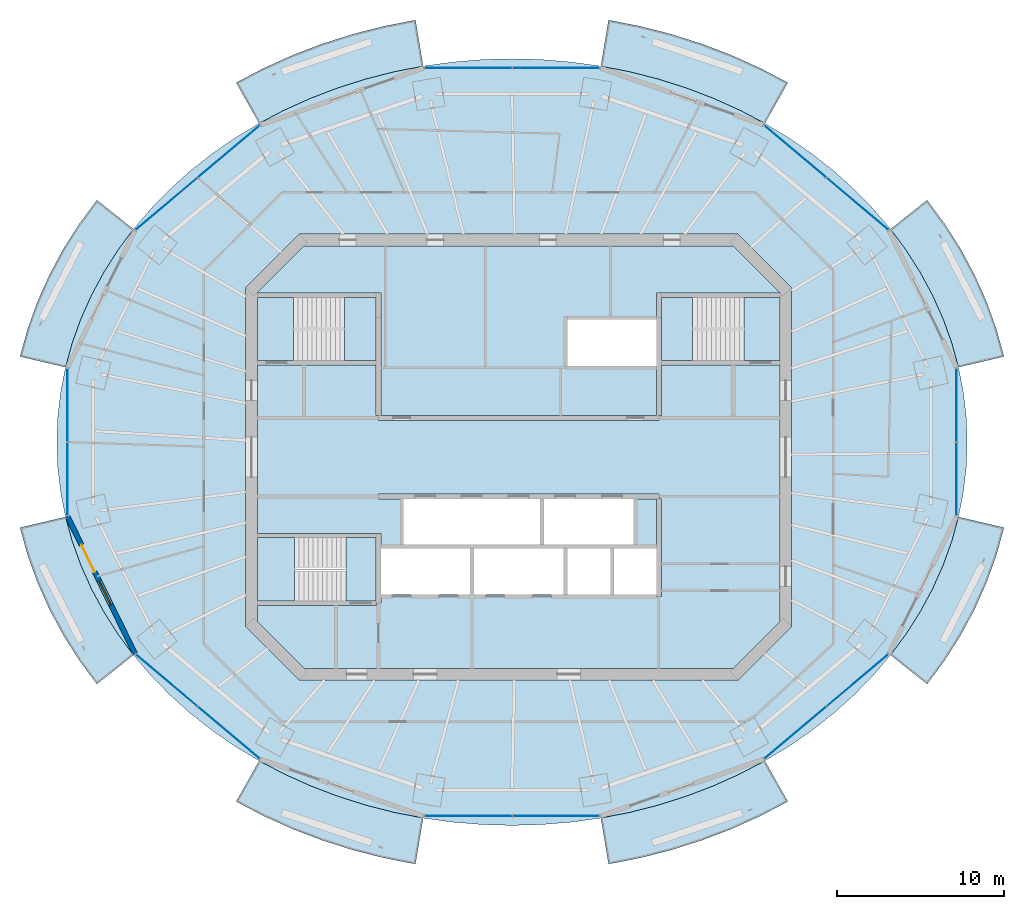
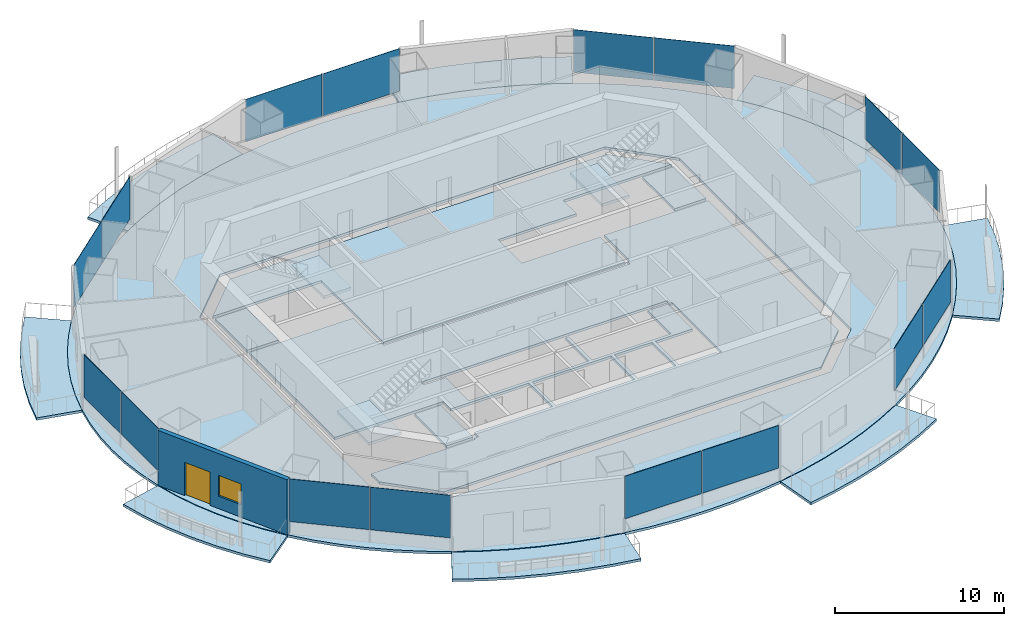
# One storey, part 7 of 16: 17 slabs, 16 plates, 1 door, 1 wall, 1 window, 2 openings, 11 elements without a shape of their own.
"""IFC4 building model written with IfcOpenShell, lengths in metres."""

import ifcopenshell
import ifcopenshell.guid

model = None  # the IFC model being written
_history = None  # IfcOwnerHistory: only IFC2X3 demands one
_inside = {}  # id of a spatial element -> (the spatial element, [elements in it])
_under = {}  # id of a project, library or spatial element -> (it, [spatial elements below it])
_declared = {}  # id of a project -> (the project, [libraries it declares])
_typed = {}  # id of a type object -> (the type object, [elements of that type])
_made_of = {}  # id of a material, layer set ... -> (it, [elements and type objects made of it])


def new_model(schema):
    """Start an empty IFC model of exactly this schema.

    Asked for "IFC4X3", IfcOpenShell would pick the latest addendum, in which some entities
    have other attributes; the version numbers below select the first issue.
    IFC2X3 requires an IfcOwnerHistory on every rooted entity: one is made here for all.
    """
    global model, _history
    if schema == "IFC4X3":
        model = ifcopenshell.file(schema_version=(4, 3, 0, 0))
    else:
        model = ifcopenshell.file(schema=schema)
    _inside.clear()
    _under.clear()
    _declared.clear()
    _typed.clear()
    _made_of.clear()
    _history = None
    if model.schema == "IFC2X3":
        org = make("IfcOrganization", Name="unknown")
        user = make(
            "IfcPersonAndOrganization",
            ThePerson=make("IfcPerson", FamilyName="unknown"),
            TheOrganization=org,
        )
        app = make(
            "IfcApplication",
            ApplicationDeveloper=org,
            Version="unknown",
            ApplicationFullName="unknown",
            ApplicationIdentifier="unknown",
        )
        _history = make(
            "IfcOwnerHistory",
            OwningUser=user,
            OwningApplication=app,
            ChangeAction="ADDED",
            CreationDate=0,
        )
    return model


def make(cls, **values):
    """One entity of the class cls with the attributes given. An attribute that is None is left unset."""
    return model.create_entity(
        cls, **{name: value for name, value in values.items() if value is not None}
    )


def rooted(cls, **values):
    """An entity with a GlobalId (a new one), such as an element, a storey or a relation."""
    return make(cls, GlobalId=ifcopenshell.guid.new(), OwnerHistory=_history, **values)


def si_unit(unit_type, name, prefix=None):
    """IfcSIUnit, for example si_unit("LENGTHUNIT", "METRE", prefix="MILLI")."""
    return make("IfcSIUnit", UnitType=unit_type, Prefix=prefix, Name=name)


def assignment(units):
    """IfcUnitAssignment: the units of a project."""
    return None if units is None else make("IfcUnitAssignment", Units=units)


def point(xyz):
    """IfcCartesianPoint."""
    return None if xyz is None else make("IfcCartesianPoint", Coordinates=xyz)


def direction(xyz):
    """IfcDirection."""
    return None if xyz is None else make("IfcDirection", DirectionRatios=xyz)


def frame(location, z_axis=None, x_axis=None):
    """IfcAxis2Placement3D, a coordinate frame: its origin and axes. An axis left out is left unset."""
    return make(
        "IfcAxis2Placement3D",
        Location=point(location),
        Axis=direction(z_axis),
        RefDirection=direction(x_axis),
    )


def frame_2d(location, x_axis=None):
    """IfcAxis2Placement2D, a coordinate frame in the plane: its origin and x axis."""
    return make(
        "IfcAxis2Placement2D", Location=point(location), RefDirection=direction(x_axis)
    )


def origin():
    """The frame at (0, 0, 0) with its axes left unset."""
    return frame((0.0, 0.0, 0.0))


def origin_2d():
    """The frame at (0, 0) in the plane with its x axis left unset."""
    return frame_2d((0.0, 0.0))


def place(relative_to, where):
    """IfcLocalPlacement: puts the frame where relative to a parent placement (None: the world)."""
    return make(
        "IfcLocalPlacement", PlacementRelTo=relative_to, RelativePlacement=where
    )


def context(
    kind, dimensions, precision=None, world=None, true_north=None, identifier=None
):
    """IfcGeometricRepresentationContext, for example the 3D "Model" context."""
    return make(
        "IfcGeometricRepresentationContext",
        ContextIdentifier=identifier,
        ContextType=kind,
        CoordinateSpaceDimension=dimensions,
        Precision=precision,
        WorldCoordinateSystem=world,
        TrueNorth=true_north,
    )


def subcontext(parent, identifier, kind, view, scale=None):
    """IfcGeometricRepresentationSubContext, for example "Body" below "Model"."""
    return make(
        "IfcGeometricRepresentationSubContext",
        ContextIdentifier=identifier,
        ContextType=kind,
        ParentContext=parent,
        TargetScale=scale,
        TargetView=view,
    )


def project(units=None, contexts=None):
    """IfcProject with its units and contexts."""
    return rooted(
        "IfcProject",
        Name="project",
        RepresentationContexts=contexts,
        UnitsInContext=assignment(units),
    )


def spatial(cls, under=None, at=None, **own):
    """A site, building, storey or space (cls), placed at a placement, below another one or the project."""
    s = rooted(cls, ObjectPlacement=at, **own)
    if under is not None:
        _under.setdefault(under.id(), (under, []))[1].append(s)
    return s


def polyline(points):
    """IfcPolyline through the points."""
    return make("IfcPolyline", Points=[point(p) for p in points])


def profile(cls, at=None, kind="AREA", **sizes):
    """A parametric profile (cls). Its sizes go by their IFC names, for example OverallWidth=200.0."""
    return make(cls, ProfileType=kind, Position=at, **sizes)


def rectangle(**sizes):
    """IfcRectangleProfileDef."""
    return profile("IfcRectangleProfileDef", **sizes)


def outline(outer, holes=None, kind="AREA"):
    """IfcArbitraryClosedProfileDef: a profile drawn as a closed curve; with holes, ...WithVoids."""
    if holes is None:
        return make("IfcArbitraryClosedProfileDef", ProfileType=kind, OuterCurve=outer)
    return make(
        "IfcArbitraryProfileDefWithVoids",
        ProfileType=kind,
        OuterCurve=outer,
        InnerCurves=holes,
    )


def extrude(swept, where, along, depth):
    """IfcExtrudedAreaSolid: the profile swept, set in the frame where, extruded along a direction by depth."""
    return make(
        "IfcExtrudedAreaSolid",
        SweptArea=swept,
        Position=where,
        ExtrudedDirection=direction(along),
        Depth=depth,
    )


def shape(context_of_items, identifier, shape_type, items):
    """IfcShapeRepresentation: the items that make up one representation, for example the "Body"."""
    return make(
        "IfcShapeRepresentation",
        ContextOfItems=context_of_items,
        RepresentationIdentifier=identifier,
        RepresentationType=shape_type,
        Items=items,
    )


def material(Name=None, Category=None):
    """IfcMaterial."""
    return make("IfcMaterial", Name=Name, Category=Category)


def layer(
    of_material, thickness, ventilated=None, Name=None, Category=None, Priority=None
):
    """IfcMaterialLayer: one layer of a wall or slab, of a material (None: an air gap)."""
    return make(
        "IfcMaterialLayer",
        Material=of_material,
        LayerThickness=thickness,
        IsVentilated=ventilated,
        Name=Name,
        Category=Category,
        Priority=Priority,
    )


def layer_set(layers, Name=None):
    """IfcMaterialLayerSet."""
    return make("IfcMaterialLayerSet", MaterialLayers=layers, LayerSetName=Name)


def made_of(thing, what):
    """Note that an element or type object is made of a material, layer set ...; save() writes the relation."""
    if what is not None:
        _made_of.setdefault(what.id(), (what, []))[1].append(thing)
    return thing


def type_object(cls, material=None, **own):
    """A type object (cls), such as IfcWallType, which elements share."""
    return made_of(rooted(cls, **own), material)


def element(
    cls,
    number,
    at=None,
    inside=None,
    cuts=None,
    type_object=None,
    material=None,
    context=None,
    identifier="Body",
    shape_type=None,
    held_by="IfcProductDefinitionShape",
    body=None,
    shapes=None,
    **own,
):
    """One element of the class cls, such as IfcWall. Its Tag is "e" and its number.

    at: its placement. inside: the storey or other place that contains it. cuts: it is an
    opening in that element (IfcRelVoidsElement). A single representation is given by context,
    identifier, shape_type and body (its items); several are given by shapes. held_by: the class
    of the entity that holds the representations. save() writes the other relations.
    """
    e = rooted(cls, Tag="e%d" % number, ObjectPlacement=at, **own)
    if body is not None:
        shapes = [shape(context, identifier, shape_type, body)]
    if shapes is not None:
        e.Representation = make(held_by, Representations=shapes)
    if inside is not None:
        _inside.setdefault(inside.id(), (inside, []))[1].append(e)
    if cuts is not None:
        rooted(
            "IfcRelVoidsElement", RelatingBuildingElement=cuts, RelatedOpeningElement=e
        )
    if type_object is not None:
        _typed.setdefault(type_object.id(), (type_object, []))[1].append(e)
    return made_of(e, material)


def fill(opening, filler):
    """IfcRelFillsElement: the door or window that sits in an opening."""
    return rooted(
        "IfcRelFillsElement",
        RelatingOpeningElement=opening,
        RelatedBuildingElement=filler,
    )


def aggregate(whole, parts):
    """IfcRelAggregates: a whole, such as a stair, and the parts it consists of."""
    return rooted("IfcRelAggregates", RelatingObject=whole, RelatedObjects=parts)


def save(model, path):
    """Write the relations noted so far, then the file.

    IfcRelAggregates (storeys below a building ...), IfcRelContainedInSpatialStructure (elements
    in a storey), IfcRelDefinesByType, IfcRelAssociatesMaterial and IfcRelDeclares: one each for
    every whole, place, type object, material and project.
    """
    for whole, parts in _under.values():
        aggregate(whole, parts)
    for where, things in _inside.values():
        rooted(
            "IfcRelContainedInSpatialStructure",
            RelatedElements=things,
            RelatingStructure=where,
        )
    for kind, things in _typed.values():
        rooted("IfcRelDefinesByType", RelatedObjects=things, RelatingType=kind)
    for what, things in _made_of.values():
        rooted("IfcRelAssociatesMaterial", RelatedObjects=things, RelatingMaterial=what)
    for by, libraries in _declared.values():
        rooted("IfcRelDeclares", RelatingContext=by, RelatedDefinitions=libraries)
    model.write(path)


model = new_model("IFC4")

# Units and contexts
model_context = context("Model", 3, precision=1e-05, world=origin(), true_north=direction((0.0, 1.0)))
body_context = subcontext(model_context, "Body", "Model", "MODEL_VIEW")
ifc_project = project(units=[si_unit("LENGTHUNIT", "METRE"), si_unit("AREAUNIT", "SQUARE_METRE"), si_unit("VOLUMEUNIT", "CUBIC_METRE"), si_unit("PLANEANGLEUNIT", "RADIAN"), si_unit("MASSUNIT", "GRAM", prefix="KILO")], contexts=[model_context])

# Site, building, storey
site_placement = place(None, origin())
site = spatial("IfcSite", under=ifc_project, at=site_placement, CompositionType="ELEMENT")
building_placement = place(site_placement, origin())
building = spatial("IfcBuilding", under=site, at=building_placement, Name="Marenthal Gate Tower", CompositionType="ELEMENT")
storey_placement = place(building_placement, frame((0.0, 0.0, 342.60009765625)))
storey = spatial("IfcBuildingStorey", under=building, at=storey_placement, Name="L77", CompositionType="ELEMENT", Elevation=342.60009765625)

# Slabs
ifc_material_1 = material(Name="Concrete 40 MPa", Category="concrete")
ifc_layer_1 = layer(ifc_material_1, 0.179931640625)
ifc_layer_set_1 = layer_set([ifc_layer_1], Name="Balcony deck 180")
slab_type_1 = type_object("IfcSlabType", Name="Balcony deck 180", PredefinedType="USERDEFINED", material=ifc_layer_set_1)
slab_1_placement = place(storey_placement, frame((0.0, 0.0, -0.22021484375)))
element("IfcSlab", 1, at=slab_1_placement, inside=storey, type_object=slab_type_1, Name="Balcony deck L77 bay 1", ObjectType="BALCONY", PredefinedType="USERDEFINED", context=body_context, shape_type="SweptSolid", body=[
    extrude(outline(polyline([(26.344970703125, 5.379638671875), (25.939697265625, 6.843017578125), (25.421875, 8.281005859375), (24.793212890625, 9.687255859375), (24.056884765625, 11.055908203125), (23.215576171875, 12.381103515625), (22.273193359375, 13.656982421875), (24.466552734375, 15.3974609375), (25.52490234375, 13.96435546875), (26.472900390625, 12.470703125), (27.3056640625, 10.923095703125), (28.018798828125, 9.327880859375), (28.60791015625, 7.692138671875), (29.070068359375, 6.0234375), (26.344970703125, 5.379638671875)])), origin(), (0.0, 0.0, 1.0), 0.18017578125),
])
slab_2_placement = place(storey_placement, frame((0.0, 0.0, -0.22021484375)))
element("IfcSlab", 2, at=slab_2_placement, inside=storey, type_object=slab_type_1, Name="Balcony deck L77 bay 3", ObjectType="BALCONY", PredefinedType="USERDEFINED", context=body_context, shape_type="SweptSolid", body=[
    extrude(outline(polyline([(14.749755859375, 19.9921875), (13.234619140625, 20.78564453125), (11.660888671875, 21.493896484375), (10.035400390625, 22.114013671875), (8.365234375, 22.643310546875), (6.65771484375, 23.07958984375), (4.919921875, 23.4208984375), (5.38232421875, 26.182373046875), (7.27392578125, 25.81103515625), (9.134765625, 25.335693359375), (10.95751953125, 24.7578125), (12.734619140625, 24.079833984375), (14.458740234375, 23.303955078125), (16.122802734375, 22.432373046875), (14.749755859375, 19.9921875)])), origin(), (0.0, 0.0, 1.0), 0.18017578125),
])
slab_3_placement = place(storey_placement, frame((0.0, 0.0, -0.22021484375)))
element("IfcSlab", 3, at=slab_3_placement, inside=storey, type_object=slab_type_1, Name="Balcony deck L77 bay 5", ObjectType="BALCONY", PredefinedType="USERDEFINED", context=body_context, shape_type="SweptSolid", body=[
    extrude(outline(polyline([(-5.719970703125, 23.4208984375), (-7.457763671875, 23.07958984375), (-9.165283203125, 22.643310546875), (-10.83544921875, 22.114013671875), (-12.460693359375, 21.493896484375), (-14.034423828125, 20.78564453125), (-15.5498046875, 19.9921875), (-16.9228515625, 22.432373046875), (-15.2587890625, 23.303955078125), (-13.53466796875, 24.079833984375), (-11.757568359375, 24.7578125), (-9.934814453125, 25.335693359375), (-8.073974609375, 25.81103515625), (-6.182373046875, 26.182373046875), (-5.719970703125, 23.4208984375)])), origin(), (0.0, 0.0, 1.0), 0.18017578125),
])
slab_4_placement = place(storey_placement, frame((0.0, 0.0, -0.22021484375)))
element("IfcSlab", 4, at=slab_4_placement, inside=storey, type_object=slab_type_1, Name="Balcony deck L77 bay 7", ObjectType="BALCONY", PredefinedType="USERDEFINED", context=body_context, shape_type="SweptSolid", body=[
    extrude(outline(polyline([(-23.0732421875, 13.656982421875), (-24.015625, 12.381103515625), (-24.856689453125, 11.055908203125), (-25.59326171875, 9.687255859375), (-26.2216796875, 8.281005859375), (-26.73974609375, 6.843017578125), (-27.14501953125, 5.379638671875), (-29.8701171875, 6.0234375), (-29.407958984375, 7.692138671875), (-28.818603515625, 9.327880859375), (-28.105712890625, 10.923095703125), (-27.27294921875, 12.470703125), (-26.324951171875, 13.96435546875), (-25.2666015625, 15.3974609375), (-23.0732421875, 13.656982421875)])), origin(), (0.0, 0.0, 1.0), 0.18017578125),
])
slab_5_placement = place(storey_placement, frame((0.0, 0.0, -0.22021484375)))
element("IfcSlab", 5, at=slab_5_placement, inside=storey, type_object=slab_type_1, Name="Balcony deck L77 bay 9", ObjectType="BALCONY", PredefinedType="USERDEFINED", context=body_context, shape_type="SweptSolid", body=[
    extrude(outline(polyline([(-27.14501953125, -3.57958984375), (-26.73974609375, -5.04296875), (-26.2216796875, -6.48095703125), (-25.59326171875, -7.88720703125), (-24.856689453125, -9.255859375), (-24.015625, -10.5810546875), (-23.0732421875, -11.85693359375), (-25.2666015625, -13.597412109375), (-26.324951171875, -12.164306640625), (-27.27294921875, -10.6708984375), (-28.105712890625, -9.123046875), (-28.818603515625, -7.52783203125), (-29.407958984375, -5.89208984375), (-29.8701171875, -4.223388671875), (-27.14501953125, -3.57958984375)])), origin(), (0.0, 0.0, 1.0), 0.18017578125),
])
slab_6_placement = place(storey_placement, frame((0.0, 0.0, -0.22021484375)))
element("IfcSlab", 6, at=slab_6_placement, inside=storey, type_object=slab_type_1, Name="Balcony deck L77 bay 11", ObjectType="BALCONY", PredefinedType="USERDEFINED", context=body_context, shape_type="SweptSolid", body=[
    extrude(outline(polyline([(-15.5498046875, -18.192138671875), (-14.034423828125, -18.985595703125), (-12.460693359375, -19.694091796875), (-10.83544921875, -20.314208984375), (-9.165283203125, -20.843505859375), (-7.457763671875, -21.279541015625), (-5.719970703125, -21.620849609375), (-6.182373046875, -24.38232421875), (-8.073974609375, -24.010986328125), (-9.934814453125, -23.53564453125), (-11.757568359375, -22.9580078125), (-13.53466796875, -22.280029296875), (-15.2587890625, -21.50390625), (-16.9228515625, -20.632568359375), (-15.5498046875, -18.192138671875)])), origin(), (0.0, 0.0, 1.0), 0.18017578125),
])
slab_7_placement = place(storey_placement, frame((0.0, 0.0, -0.22021484375)))
element("IfcSlab", 7, at=slab_7_placement, inside=storey, type_object=slab_type_1, Name="Balcony deck L77 bay 13", ObjectType="BALCONY", PredefinedType="USERDEFINED", context=body_context, shape_type="SweptSolid", body=[
    extrude(outline(polyline([(4.919921875, -21.620849609375), (6.65771484375, -21.279541015625), (8.365234375, -20.843505859375), (10.035400390625, -20.314208984375), (11.660888671875, -19.694091796875), (13.234619140625, -18.985595703125), (14.749755859375, -18.192138671875), (16.122802734375, -20.632568359375), (14.458740234375, -21.50390625), (12.734619140625, -22.280029296875), (10.95751953125, -22.9580078125), (9.134765625, -23.53564453125), (7.27392578125, -24.010986328125), (5.38232421875, -24.38232421875), (4.919921875, -21.620849609375)])), origin(), (0.0, 0.0, 1.0), 0.18017578125),
])
slab_8_placement = place(storey_placement, frame((0.0, 0.0, -0.22021484375)))
element("IfcSlab", 8, at=slab_8_placement, inside=storey, type_object=slab_type_1, Name="Balcony deck L77 bay 15", ObjectType="BALCONY", PredefinedType="USERDEFINED", context=body_context, shape_type="SweptSolid", body=[
    extrude(outline(polyline([(22.273193359375, -11.85693359375), (23.215576171875, -10.5810546875), (24.056884765625, -9.255859375), (24.793212890625, -7.88720703125), (25.421875, -6.48095703125), (25.939697265625, -5.04296875), (26.344970703125, -3.57958984375), (29.070068359375, -4.223388671875), (28.60791015625, -5.89208984375), (28.018798828125, -7.52783203125), (27.3056640625, -9.123046875), (26.472900390625, -10.6708984375), (25.52490234375, -12.164306640625), (24.466552734375, -13.597412109375), (22.273193359375, -11.85693359375)])), origin(), (0.0, 0.0, 1.0), 0.18017578125),
])
ifc_material_2 = material(Name="Concrete 50 MPa", Category="concrete")
ifc_layer_2 = layer(ifc_material_2, 0.179931640625)
ifc_layer_set_2 = layer_set([ifc_layer_2], Name="Core floor slab 180")
slab_type_2 = type_object("IfcSlabType", Name="Core floor slab 180", PredefinedType="FLOOR", material=ifc_layer_set_2)
slab_9_placement = place(storey_placement, frame((0.0, 0.0, -0.18017578125)))
element("IfcSlab", 9, at=slab_9_placement, inside=storey, type_object=slab_type_2, Name="Core floor L77", PredefinedType="FLOOR", context=body_context, shape_type="SweptSolid", body=[
    extrude(outline(polyline([(12.85498046875, -12.64990234375), (-12.85498046875, -12.64990234375), (-15.64990234375, -9.85498046875), (-15.64990234375, -8.875), (-8.550048828125, -8.875), (-8.550048828125, -8.75), (-8.25, -8.75), (-8.25, -8.239990234375), (-5.60009765625, -8.239990234375), (-2.909912109375, -8.239990234375), (-2.909912109375, -5.4599609375), (-5.60009765625, -5.4599609375), (-8.25, -5.4599609375), (-8.25, -4.574951171875), (-8.550048828125, -4.574951171875), (-15.64990234375, -4.574951171875), (-15.64990234375, 5.52490234375), (-8.550048828125, 5.52490234375), (-8.550048828125, 2.5), (-8.39990234375, 2.5), (-8.39990234375, 2.199951171875), (8.39990234375, 2.199951171875), (8.39990234375, 2.5), (8.550048828125, 2.5), (8.550048828125, 5.52490234375), (15.64990234375, 5.52490234375), (15.64990234375, -9.85498046875), (12.85498046875, -12.64990234375)]), holes=[polyline([(0.0, -8.239990234375), (2.68994140625, -8.239990234375), (2.68994140625, -5.4599609375), (0.0, -5.4599609375), (-2.68994140625, -5.4599609375), (-2.68994140625, -8.239990234375), (0.0, -8.239990234375)]), polyline([(1.2900390625, -5.239990234375), (1.2900390625, -2.5), (1.510009765625, -2.5), (1.510009765625, -5.239990234375), (4.199951171875, -5.239990234375), (6.889892578125, -5.239990234375), (6.889892578125, -2.5), (8.25, -2.5), (8.25, -5.4599609375), (5.7099609375, -5.4599609375), (5.7099609375, -8.239990234375), (8.25, -8.239990234375), (8.25, -8.35009765625), (8.550048828125, -8.35009765625), (8.550048828125, -2.5), (8.39990234375, -2.5), (8.39990234375, -2.199951171875), (-8.39990234375, -2.199951171875), (-8.39990234375, -2.5), (-6.889892578125, -2.5), (-6.889892578125, -5.239990234375), (-4.199951171875, -5.239990234375), (-1.39990234375, -5.239990234375), (1.2900390625, -5.239990234375)]), polyline([(5.489990234375, -5.4599609375), (2.909912109375, -5.4599609375), (2.909912109375, -8.239990234375), (5.489990234375, -8.239990234375), (5.489990234375, -5.4599609375)])]), origin(), (0.0, 0.0, 1.0), 0.18017578125),
])
slab_10_placement = place(storey_placement, frame((0.0, 0.0, -0.18017578125)))
element("IfcSlab", 10, at=slab_10_placement, inside=storey, type_object=slab_type_2, Name="Core floor L77", PredefinedType="FLOOR", context=body_context, shape_type="SweptSolid", body=[
    extrude(outline(polyline([(15.64990234375, 5.77490234375), (13.5, 5.77490234375), (13.5, 9.574951171875), (15.64990234375, 9.574951171875), (15.64990234375, 5.77490234375)])), origin(), (0.0, 0.0, 1.0), 0.18017578125),
])
slab_11_placement = place(storey_placement, frame((0.0, 0.0, -0.18017578125)))
element("IfcSlab", 11, at=slab_11_placement, inside=storey, type_object=slab_type_2, Name="Core floor L77", PredefinedType="FLOOR", context=body_context, shape_type="SweptSolid", body=[
    extrude(outline(polyline([(15.64990234375, 9.824951171875), (8.550048828125, 9.824951171875), (8.25, 9.824951171875), (8.25, 8.35009765625), (8.25, 8.239990234375), (5.60009765625, 8.239990234375), (2.909912109375, 8.239990234375), (2.909912109375, 5.4599609375), (5.60009765625, 5.4599609375), (8.25, 5.4599609375), (8.25, 2.5), (-8.25, 2.5), (-8.25, 8.35009765625), (-8.25, 9.824951171875), (-8.550048828125, 9.824951171875), (-15.64990234375, 9.824951171875), (-15.64990234375, 9.85498046875), (-12.85498046875, 12.64990234375), (12.85498046875, 12.64990234375), (15.64990234375, 9.85498046875), (15.64990234375, 9.824951171875)])), origin(), (0.0, 0.0, 1.0), 0.18017578125),
])
slab_12_placement = place(storey_placement, frame((0.0, 0.0, -0.18017578125)))
element("IfcSlab", 12, at=slab_12_placement, inside=storey, type_object=slab_type_2, Name="Core floor L77", PredefinedType="FLOOR", context=body_context, shape_type="SweptSolid", body=[
    extrude(outline(polyline([(-15.64990234375, 9.574951171875), (-13.5, 9.574951171875), (-13.5, 5.77490234375), (-15.64990234375, 5.77490234375), (-15.64990234375, 9.574951171875)])), origin(), (0.0, 0.0, 1.0), 0.18017578125),
])
slab_13_placement = place(storey_placement, frame((0.0, 0.0, -0.18017578125)))
element("IfcSlab", 13, at=slab_13_placement, inside=storey, type_object=slab_type_2, Name="Core floor L77", PredefinedType="FLOOR", context=body_context, shape_type="SweptSolid", body=[
    extrude(outline(polyline([(-8.550048828125, -4.824951171875), (-8.550048828125, -8.625), (-10.35009765625, -8.625), (-10.35009765625, -4.824951171875), (-8.550048828125, -4.824951171875)])), origin(), (0.0, 0.0, 1.0), 0.18017578125),
])
ifc_material_3 = material(Name="Concrete 35 MPa", Category="concrete")
ifc_layer_3 = layer(ifc_material_3, 0.179931640625)
ifc_layer_set_3 = layer_set([ifc_layer_3], Name="Floor slab 180")
slab_type_3 = type_object("IfcSlabType", Name="Floor slab 180", PredefinedType="FLOOR", material=ifc_layer_set_3)
slab_14_placement = place(storey_placement, frame((0.0, 0.0, -0.18017578125)))
element("IfcSlab", 14, at=slab_14_placement, inside=storey, type_object=slab_type_3, Name="SL-L77-01", PredefinedType="FLOOR", context=body_context, shape_type="SweptSolid", body=[
    extrude(outline(polyline([(26.868896484375, 0.89990234375), (26.810546875, 2.40185546875), (26.6357421875, 3.897216796875), (26.344970703125, 5.379638671875), (25.939697265625, 6.843017578125), (25.421875, 8.281005859375), (24.793212890625, 9.687255859375), (24.056884765625, 11.055908203125), (23.215576171875, 12.381103515625), (22.273193359375, 13.656982421875), (21.23388671875, 14.87841796875), (20.101806640625, 16.039794921875), (18.882080078125, 17.13671875), (17.57958984375, 18.163818359375), (16.2001953125, 19.116943359375), (14.749755859375, 19.9921875), (13.234619140625, 20.78564453125), (11.660888671875, 21.493896484375), (10.035400390625, 22.114013671875), (8.365234375, 22.643310546875), (6.65771484375, 23.07958984375), (4.919921875, 23.4208984375), (3.1591796875, 23.66552734375), (1.383544921875, 23.812744140625), (-0.39990234375, 23.862060546875), (-2.18359375, 23.812744140625), (-3.959228515625, 23.66552734375), (-5.719970703125, 23.4208984375), (-7.457763671875, 23.07958984375), (-9.165283203125, 22.643310546875), (-10.83544921875, 22.114013671875), (-12.460693359375, 21.493896484375), (-14.034423828125, 20.78564453125), (-15.5498046875, 19.9921875), (-17.000244140625, 19.116943359375), (-18.379638671875, 18.163818359375), (-19.68212890625, 17.13671875), (-20.90185546875, 16.039794921875), (-22.033935546875, 14.87841796875), (-23.0732421875, 13.656982421875), (-24.015625, 12.381103515625), (-24.856689453125, 11.055908203125), (-25.59326171875, 9.687255859375), (-26.2216796875, 8.281005859375), (-26.73974609375, 6.843017578125), (-27.14501953125, 5.379638671875), (-27.435791015625, 3.897216796875), (-27.610595703125, 2.40185546875), (-27.6689453125, 0.89990234375), (-27.610595703125, -0.601806640625), (-27.435791015625, -2.09716796875), (-27.14501953125, -3.57958984375), (-26.73974609375, -5.04296875), (-26.2216796875, -6.48095703125), (-25.59326171875, -7.88720703125), (-24.856689453125, -9.255859375), (-24.015625, -10.5810546875), (-23.0732421875, -11.85693359375), (-22.033935546875, -13.078369140625), (-20.90185546875, -14.239990234375), (-19.68212890625, -15.336669921875), (-18.379638671875, -16.36376953125), (-17.000244140625, -17.31689453125), (-15.5498046875, -18.192138671875), (-14.034423828125, -18.985595703125), (-12.460693359375, -19.694091796875), (-10.83544921875, -20.314208984375), (-9.165283203125, -20.843505859375), (-7.457763671875, -21.279541015625), (-5.719970703125, -21.620849609375), (-3.959228515625, -21.865478515625), (-2.18359375, -22.0126953125), (-0.39990234375, -22.06201171875), (1.383544921875, -22.0126953125), (3.1591796875, -21.865478515625), (4.919921875, -21.620849609375), (6.65771484375, -21.279541015625), (8.365234375, -20.843505859375), (10.035400390625, -20.314208984375), (11.660888671875, -19.694091796875), (13.234619140625, -18.985595703125), (14.749755859375, -18.192138671875), (16.2001953125, -17.31689453125), (17.57958984375, -16.36376953125), (18.882080078125, -15.336669921875), (20.101806640625, -14.239990234375), (21.23388671875, -13.078369140625), (22.273193359375, -11.85693359375), (23.215576171875, -10.5810546875), (24.056884765625, -9.255859375), (24.793212890625, -7.88720703125), (25.421875, -6.48095703125), (25.939697265625, -5.04296875), (26.344970703125, -3.57958984375), (26.6357421875, -2.09716796875), (26.810546875, -0.601806640625), (26.868896484375, 0.89990234375)]), holes=[polyline([(13.14501953125, -13.35009765625), (16.35009765625, -10.14501953125), (16.35009765625, 10.14501953125), (13.14501953125, 13.35009765625), (-13.14501953125, 13.35009765625), (-16.35009765625, 10.14501953125), (-16.35009765625, -10.14501953125), (-13.14501953125, -13.35009765625), (13.14501953125, -13.35009765625)])]), origin(), (0.0, 0.0, 1.0), 0.18017578125),
])

# Curtain wall, plates
ifc_material_4 = material(Name="Aluminium and glass", Category="aluminium")
curtain_wall_type = type_object("IfcCurtainWallType", Name="Curtain wall typical high", PredefinedType="NOTDEFINED", material=ifc_material_4)
curtain_wall_1_placement = place(storey_placement, origin())
curtain_wall_1 = element("IfcCurtainWall", 15, at=curtain_wall_1_placement, inside=storey, type_object=curtain_wall_type, Name="Curtain wall L77 bay 2", PredefinedType="NOTDEFINED")
ifc_material_5 = material(Name="Glass, laminated insulating unit", Category="glass")
ifc_layer_4 = layer(ifc_material_5, 0.031982421875)
ifc_layer_set_4 = layer_set([ifc_layer_4], Name="Glass panel 32 typical high")
plate_type = type_object("IfcPlateType", Name="Glass panel 32 typical high", PredefinedType="CURTAIN_PANEL", material=ifc_layer_set_4)
plate_1_placement = place(storey_placement, frame((20.28955078125, 15.175537109375, 0.89990234375), z_axis=(0.0, 0.0, 1.0), x_axis=(-0.765193255572, 0.643800653639, 0.0)))
plate_1 = element("IfcPlate", 16, at=plate_1_placement, type_object=plate_type, Name="Glass panel L77 bay 2.1", PredefinedType="CURTAIN_PANEL", context=body_context, shape_type="SweptSolid", body=[
    extrude(rectangle(XDim=4.804443359375, YDim=0.031982421875, at=origin_2d()), origin(), (0.0, 0.0, 1.0), 3.070068359375),
])
plate_2_placement = place(storey_placement, frame((16.5673828125, 18.30712890625, 0.89990234375), z_axis=(0.0, 0.0, 1.0), x_axis=(-0.765193255572, 0.643800653639, 0.0)))
plate_2 = element("IfcPlate", 17, at=plate_2_placement, type_object=plate_type, Name="Glass panel L77 bay 2.2", PredefinedType="CURTAIN_PANEL", context=body_context, shape_type="SweptSolid", body=[
    extrude(rectangle(XDim=4.804443359375, YDim=0.031982421875, at=origin_2d()), origin(), (0.0, 0.0, 1.0), 3.070068359375),
])
aggregate(curtain_wall_1, [plate_1, plate_2])

curtain_wall_2_placement = place(storey_placement, origin())
curtain_wall_2 = element("IfcCurtainWall", 18, at=curtain_wall_2_placement, inside=storey, type_object=curtain_wall_type, Name="Curtain wall L77 bay 4", PredefinedType="NOTDEFINED")
plate_3_placement = place(storey_placement, frame((2.233154296875, 23.302978515625, 0.89990234375), z_axis=(0.0, 0.0, 1.0), x_axis=(-1.0, 0.0, 0.0)))
plate_3 = element("IfcPlate", 19, at=plate_3_placement, type_object=plate_type, Name="Glass panel L77 bay 4.1", PredefinedType="CURTAIN_PANEL", context=body_context, shape_type="SweptSolid", body=[
    extrude(rectangle(XDim=5.20654296875, YDim=0.031982421875, at=origin_2d()), origin(), (0.0, 0.0, 1.0), 3.070068359375),
])
plate_4_placement = place(storey_placement, frame((-3.033203125, 23.302978515625, 0.89990234375), z_axis=(0.0, 0.0, 1.0), x_axis=(-1.0, 0.0, 0.0)))
plate_4 = element("IfcPlate", 20, at=plate_4_placement, type_object=plate_type, Name="Glass panel L77 bay 4.2", PredefinedType="CURTAIN_PANEL", context=body_context, shape_type="SweptSolid", body=[
    extrude(rectangle(XDim=5.20654296875, YDim=0.031982421875, at=origin_2d()), origin(), (0.0, 0.0, 1.0), 3.070068359375),
])
aggregate(curtain_wall_2, [plate_3, plate_4])

curtain_wall_3_placement = place(storey_placement, origin())
curtain_wall_3 = element("IfcCurtainWall", 21, at=curtain_wall_3_placement, inside=storey, type_object=curtain_wall_type, Name="Curtain wall L77 bay 6", PredefinedType="NOTDEFINED")
plate_5_placement = place(storey_placement, frame((-17.3671875, 18.30712890625, 0.89990234375), z_axis=(0.0, 0.0, 1.0), x_axis=(-0.765193255572, -0.643800653639, 0.0)))
plate_5 = element("IfcPlate", 22, at=plate_5_placement, type_object=plate_type, Name="Glass panel L77 bay 6.1", PredefinedType="CURTAIN_PANEL", context=body_context, shape_type="SweptSolid", body=[
    extrude(rectangle(XDim=4.804443359375, YDim=0.031982421875, at=origin_2d()), origin(), (0.0, 0.0, 1.0), 3.070068359375),
])
plate_6_placement = place(storey_placement, frame((-21.089599609375, 15.175537109375, 0.89990234375), z_axis=(0.0, 0.0, 1.0), x_axis=(-0.765193255572, -0.643800653639, 0.0)))
plate_6 = element("IfcPlate", 23, at=plate_6_placement, type_object=plate_type, Name="Glass panel L77 bay 6.2", PredefinedType="CURTAIN_PANEL", context=body_context, shape_type="SweptSolid", body=[
    extrude(rectangle(XDim=4.804443359375, YDim=0.031982421875, at=origin_2d()), origin(), (0.0, 0.0, 1.0), 3.070068359375),
])
aggregate(curtain_wall_3, [plate_5, plate_6])

curtain_wall_4_placement = place(storey_placement, origin())
curtain_wall_4 = element("IfcCurtainWall", 24, at=curtain_wall_4_placement, inside=storey, type_object=curtain_wall_type, Name="Curtain wall L77 bay 8", PredefinedType="NOTDEFINED")
plate_7_placement = place(storey_placement, frame((-27.02734375, 3.113037109375, 0.89990234375), z_axis=(0.0, 0.0, 1.0), x_axis=(0.0, -1.0, 0.0)))
plate_7 = element("IfcPlate", 25, at=plate_7_placement, type_object=plate_type, Name="Glass panel L77 bay 8.1", PredefinedType="CURTAIN_PANEL", context=body_context, shape_type="SweptSolid", body=[
    extrude(rectangle(XDim=4.3662109375, YDim=0.031982421875, at=origin_2d()), origin(), (0.0, 0.0, 1.0), 3.070068359375),
])
plate_8_placement = place(storey_placement, frame((-27.02734375, -1.313232421875, 0.89990234375), z_axis=(0.0, 0.0, 1.0), x_axis=(0.0, -1.0, 0.0)))
plate_8 = element("IfcPlate", 26, at=plate_8_placement, type_object=plate_type, Name="Glass panel L77 bay 8.2", PredefinedType="CURTAIN_PANEL", context=body_context, shape_type="SweptSolid", body=[
    extrude(rectangle(XDim=4.3662109375, YDim=0.031982421875, at=origin_2d()), origin(), (0.0, 0.0, 1.0), 3.070068359375),
])
aggregate(curtain_wall_4, [plate_7, plate_8])

curtain_wall_5_placement = place(storey_placement, origin())
curtain_wall_5 = element("IfcCurtainWall", 27, at=curtain_wall_5_placement, inside=storey, type_object=curtain_wall_type, Name="Curtain wall L77 bay 10", PredefinedType="NOTDEFINED")
plate_9_placement = place(storey_placement, frame((-21.089599609375, -13.37548828125, 0.89990234375), z_axis=(0.0, 0.0, 1.0), x_axis=(0.765193255572, -0.643800653639, 0.0)))
plate_9 = element("IfcPlate", 28, at=plate_9_placement, type_object=plate_type, Name="Glass panel L77 bay 10.1", PredefinedType="CURTAIN_PANEL", context=body_context, shape_type="SweptSolid", body=[
    extrude(rectangle(XDim=4.804443359375, YDim=0.031982421875, at=origin_2d()), origin(), (0.0, 0.0, 1.0), 3.070068359375),
])
plate_10_placement = place(storey_placement, frame((-17.3671875, -16.507080078125, 0.89990234375), z_axis=(0.0, 0.0, 1.0), x_axis=(0.765193255572, -0.643800653639, 0.0)))
plate_10 = element("IfcPlate", 29, at=plate_10_placement, type_object=plate_type, Name="Glass panel L77 bay 10.2", PredefinedType="CURTAIN_PANEL", context=body_context, shape_type="SweptSolid", body=[
    extrude(rectangle(XDim=4.804443359375, YDim=0.031982421875, at=origin_2d()), origin(), (0.0, 0.0, 1.0), 3.070068359375),
])
aggregate(curtain_wall_5, [plate_9, plate_10])

curtain_wall_6_placement = place(storey_placement, origin())
curtain_wall_6 = element("IfcCurtainWall", 30, at=curtain_wall_6_placement, inside=storey, type_object=curtain_wall_type, Name="Curtain wall L77 bay 12", PredefinedType="NOTDEFINED")
plate_11_placement = place(storey_placement, frame((-3.033203125, -21.503173828125, 0.89990234375), z_axis=(0.0, 0.0, 1.0), x_axis=(1.0, 0.0, 0.0)))
plate_11 = element("IfcPlate", 31, at=plate_11_placement, type_object=plate_type, Name="Glass panel L77 bay 12.1", PredefinedType="CURTAIN_PANEL", context=body_context, shape_type="SweptSolid", body=[
    extrude(rectangle(XDim=5.20654296875, YDim=0.031982421875, at=origin_2d()), origin(), (0.0, 0.0, 1.0), 3.070068359375),
])
plate_12_placement = place(storey_placement, frame((2.233154296875, -21.503173828125, 0.89990234375), z_axis=(0.0, 0.0, 1.0), x_axis=(1.0, 0.0, 0.0)))
plate_12 = element("IfcPlate", 32, at=plate_12_placement, type_object=plate_type, Name="Glass panel L77 bay 12.2", PredefinedType="CURTAIN_PANEL", context=body_context, shape_type="SweptSolid", body=[
    extrude(rectangle(XDim=5.20654296875, YDim=0.031982421875, at=origin_2d()), origin(), (0.0, 0.0, 1.0), 3.070068359375),
])
aggregate(curtain_wall_6, [plate_11, plate_12])

curtain_wall_7_placement = place(storey_placement, origin())
curtain_wall_7 = element("IfcCurtainWall", 33, at=curtain_wall_7_placement, inside=storey, type_object=curtain_wall_type, Name="Curtain wall L77 bay 14", PredefinedType="NOTDEFINED")
plate_13_placement = place(storey_placement, frame((16.567138671875, -16.50732421875, 0.89990234375), z_axis=(0.0, 0.0, 1.0), x_axis=(0.765193255572, 0.643800653639, 0.0)))
plate_13 = element("IfcPlate", 34, at=plate_13_placement, type_object=plate_type, Name="Glass panel L77 bay 14.1", PredefinedType="CURTAIN_PANEL", context=body_context, shape_type="SweptSolid", body=[
    extrude(rectangle(XDim=4.804443359375, YDim=0.031982421875, at=origin_2d()), origin(), (0.0, 0.0, 1.0), 3.070068359375),
])
plate_14_placement = place(storey_placement, frame((20.28955078125, -13.37548828125, 0.89990234375), z_axis=(0.0, 0.0, 1.0), x_axis=(0.765193255572, 0.643800653639, 0.0)))
plate_14 = element("IfcPlate", 35, at=plate_14_placement, type_object=plate_type, Name="Glass panel L77 bay 14.2", PredefinedType="CURTAIN_PANEL", context=body_context, shape_type="SweptSolid", body=[
    extrude(rectangle(XDim=4.804443359375, YDim=0.031982421875, at=origin_2d()), origin(), (0.0, 0.0, 1.0), 3.070068359375),
])
aggregate(curtain_wall_7, [plate_13, plate_14])

curtain_wall_8_placement = place(storey_placement, origin())
curtain_wall_8 = element("IfcCurtainWall", 36, at=curtain_wall_8_placement, inside=storey, type_object=curtain_wall_type, Name="Curtain wall L77 bay 16", PredefinedType="NOTDEFINED")
plate_15_placement = place(storey_placement, frame((26.227294921875, -1.313232421875, 0.89990234375), z_axis=(0.0, 0.0, 1.0), x_axis=(0.0, 1.0, 0.0)))
plate_15 = element("IfcPlate", 37, at=plate_15_placement, type_object=plate_type, Name="Glass panel L77 bay 16.1", PredefinedType="CURTAIN_PANEL", context=body_context, shape_type="SweptSolid", body=[
    extrude(rectangle(XDim=4.3662109375, YDim=0.031982421875, at=origin_2d()), origin(), (0.0, 0.0, 1.0), 3.070068359375),
])
plate_16_placement = place(storey_placement, frame((26.227294921875, 3.113037109375, 0.89990234375), z_axis=(0.0, 0.0, 1.0), x_axis=(0.0, 1.0, 0.0)))
plate_16 = element("IfcPlate", 38, at=plate_16_placement, type_object=plate_type, Name="Glass panel L77 bay 16.2", PredefinedType="CURTAIN_PANEL", context=body_context, shape_type="SweptSolid", body=[
    extrude(rectangle(XDim=4.3662109375, YDim=0.031982421875, at=origin_2d()), origin(), (0.0, 0.0, 1.0), 3.070068359375),
])
aggregate(curtain_wall_8, [plate_15, plate_16])

# Stair, slab
ifc_material_6 = material(Name="Concrete 40 MPa", Category="concrete")
stair_type = type_object("IfcStairType", Name="Exit stair 1800", PredefinedType="HALF_TURN_STAIR", material=ifc_material_6)
stair_1_placement = place(storey_placement, origin())
stair_1 = element("IfcStair", 39, at=stair_1_placement, inside=storey, type_object=stair_type, Name="Stair ST1", PredefinedType="HALF_TURN_STAIR")
ifc_material_7 = material(Name="Concrete 40 MPa", Category="concrete")
ifc_layer_5 = layer(ifc_material_7, 0.199951171875)
ifc_layer_set_5 = layer_set([ifc_layer_5], Name="Stair landing 200")
slab_type_4 = type_object("IfcSlabType", Name="Stair landing 200", PredefinedType="LANDING", material=ifc_layer_set_5)
slab_15_placement = place(storey_placement, frame((0.0, 0.0, 1.875)))
slab_15 = element("IfcSlab", 40, at=slab_15_placement, type_object=slab_type_4, Name="ST1 landing 1", PredefinedType="LANDING", context=body_context, shape_type="SweptSolid", body=[
    extrude(outline(polyline([(-10.419921875, 5.77490234375), (-8.550048828125, 5.77490234375), (-8.550048828125, 9.574951171875), (-10.419921875, 9.574951171875), (-10.419921875, 5.77490234375)])), origin(), (0.0, 0.0, 1.0), 0.199951171875),
])
aggregate(stair_1, [slab_15])

stair_2_placement = place(storey_placement, origin())
stair_2 = element("IfcStair", 41, at=stair_2_placement, inside=storey, type_object=stair_type, Name="Stair ST2", PredefinedType="HALF_TURN_STAIR")
slab_16_placement = place(storey_placement, frame((0.0, 0.0, 1.875)))
slab_16 = element("IfcSlab", 42, at=slab_16_placement, type_object=slab_type_4, Name="ST2 landing 1", PredefinedType="LANDING", context=body_context, shape_type="SweptSolid", body=[
    extrude(outline(polyline([(-15.64990234375, -8.625), (-13.429931640625, -8.625), (-13.429931640625, -4.824951171875), (-15.64990234375, -4.824951171875), (-15.64990234375, -8.625)])), origin(), (0.0, 0.0, 1.0), 0.199951171875),
])
aggregate(stair_2, [slab_16])

stair_3_placement = place(storey_placement, origin())
stair_3 = element("IfcStair", 43, at=stair_3_placement, inside=storey, type_object=stair_type, Name="Stair ST3", PredefinedType="HALF_TURN_STAIR")
slab_17_placement = place(storey_placement, frame((0.0, 0.0, 1.875)))
slab_17 = element("IfcSlab", 44, at=slab_17_placement, type_object=slab_type_4, Name="ST3 landing 1", PredefinedType="LANDING", context=body_context, shape_type="SweptSolid", body=[
    extrude(outline(polyline([(8.550048828125, 5.77490234375), (10.419921875, 5.77490234375), (10.419921875, 9.574951171875), (8.550048828125, 9.574951171875), (8.550048828125, 5.77490234375)])), origin(), (0.0, 0.0, 1.0), 0.199951171875),
])
aggregate(stair_3, [slab_17])

# Wall, openings, door, window
ifc_material_8 = material(Name="Terracotta cladding on insulated concrete-block backing", Category="masonry")
ifc_layer_6 = layer(ifc_material_8, 0.300048828125)
ifc_layer_set_6 = layer_set([ifc_layer_6], Name="Terracotta facade wall 300")
wall_type = type_object("IfcWallType", Name="Terracotta facade wall 300", PredefinedType="SOLIDWALL", material=ifc_layer_set_6)
wall_placement = place(storey_placement, frame((-27.02734375, -3.556396484375, 0.0), z_axis=(0.0, 0.0, 1.0), x_axis=(0.441693248755, -0.897166135119, 0.0)))
wall = element("IfcWall", 45, at=wall_placement, inside=storey, type_object=wall_type, Name="Terracotta facade wall L77 bay 9", PredefinedType="SOLIDWALL", context=body_context, shape_type="SweptSolid", body=[
    extrude(rectangle(XDim=9.177734375, YDim=0.300048828125, at=frame_2d((4.5888671875, 0.0))), origin(), (0.0, 0.0, 1.0), 3.969970703125),
])
opening_1_placement = place(wall_placement, frame((1.89990234375, 0.0, 0.0)))
opening_1 = element("IfcOpeningElement", 46, at=opening_1_placement, cuts=wall, Name="Opening BD-L77-09", PredefinedType="OPENING", context=body_context, shape_type="SweptSolid", body=[
    extrude(rectangle(XDim=1.800048828125, YDim=2.39990234375, at=frame_2d((0.89990234375, 1.199951171875))), frame((0.0, 0.16015625, 0.0), z_axis=(0.0, -1.0, 0.0), x_axis=(1.0, 0.0, 0.0)), (0.0, 0.0, 1.0), 0.320068359375),
])
opening_2_placement = place(wall_placement, frame((4.300048828125, 0.0, 0.89990234375)))
opening_2 = element("IfcOpeningElement", 47, at=opening_2_placement, cuts=wall, Name="Opening WN3-L77-09", PredefinedType="OPENING", context=body_context, shape_type="SweptSolid", body=[
    extrude(rectangle(XDim=1.60009765625, YDim=1.5, at=frame_2d((0.800048828125, 0.75))), frame((0.0, 0.16015625, 0.0), z_axis=(0.0, -1.0, 0.0), x_axis=(1.0, 0.0, 0.0)), (0.0, 0.0, 1.0), 0.320068359375),
])
ifc_material_9 = material(Name="Aluminium and glass", Category="aluminium")
door_type = type_object("IfcDoorType", Name="Balcony door 1800x2400", OperationType="DOUBLE_DOOR_SINGLE_SWING", PredefinedType="DOOR", material=ifc_material_9)
door_placement = place(opening_1_placement, origin())
door = element("IfcDoor", 48, at=door_placement, inside=storey, type_object=door_type, Name="Balcony door L77 bay 9", OperationType="SINGLE_SWING_LEFT", OverallHeight=2.39990234375, OverallWidth=1.800048828125, PredefinedType="DOOR", context=body_context, shape_type="SweptSolid", body=[
    extrude(rectangle(XDim=1.800048828125, YDim=2.39990234375, at=frame_2d((0.89990234375, 1.199951171875))), frame((0.0, 0.02490234375, 0.0), z_axis=(0.0, -1.0, 0.0), x_axis=(1.0, 0.0, 0.0)), (0.0, 0.0, 1.0), 0.050048828125),
])
fill(opening_1, door)
ifc_material_10 = material(Name="Aluminium and glass", Category="aluminium")
window_type = type_object("IfcWindowType", Name="Window 1600x1500", PartitioningType="DOUBLE_PANEL_VERTICAL", PredefinedType="WINDOW", material=ifc_material_10)
window_placement = place(opening_2_placement, origin())
window = element("IfcWindow", 49, at=window_placement, inside=storey, type_object=window_type, Name="Window L77 bay 9", OverallHeight=1.5, OverallWidth=1.60009765625, PartitioningType="SINGLE_PANEL", PredefinedType="WINDOW", context=body_context, shape_type="SweptSolid", body=[
    extrude(rectangle(XDim=1.60009765625, YDim=1.5, at=frame_2d((0.800048828125, 0.75))), frame((0.0, 0.030029296875, 0.0), z_axis=(0.0, -1.0, 0.0), x_axis=(1.0, 0.0, 0.0)), (0.0, 0.0, 1.0), 0.06005859375),
])
fill(opening_2, window)

save(model, "model.ifc")
